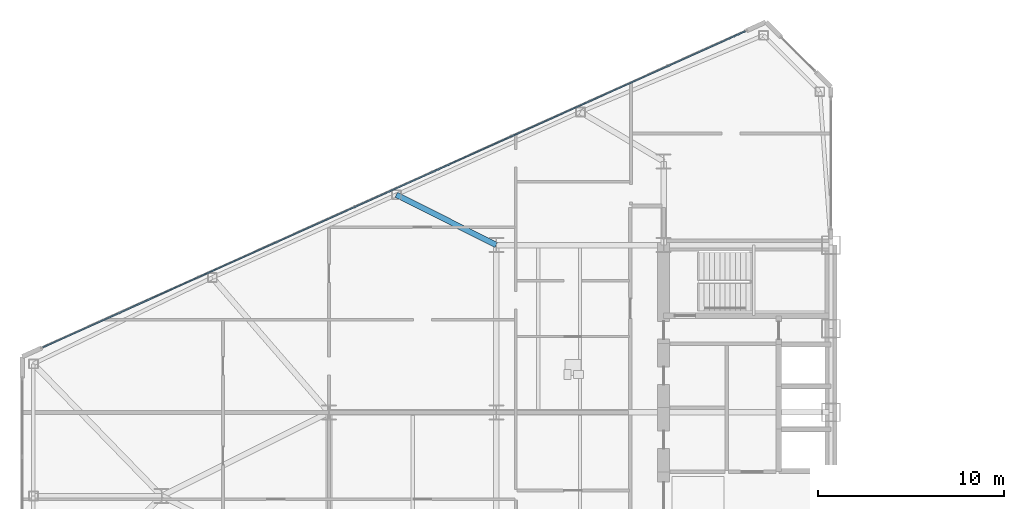
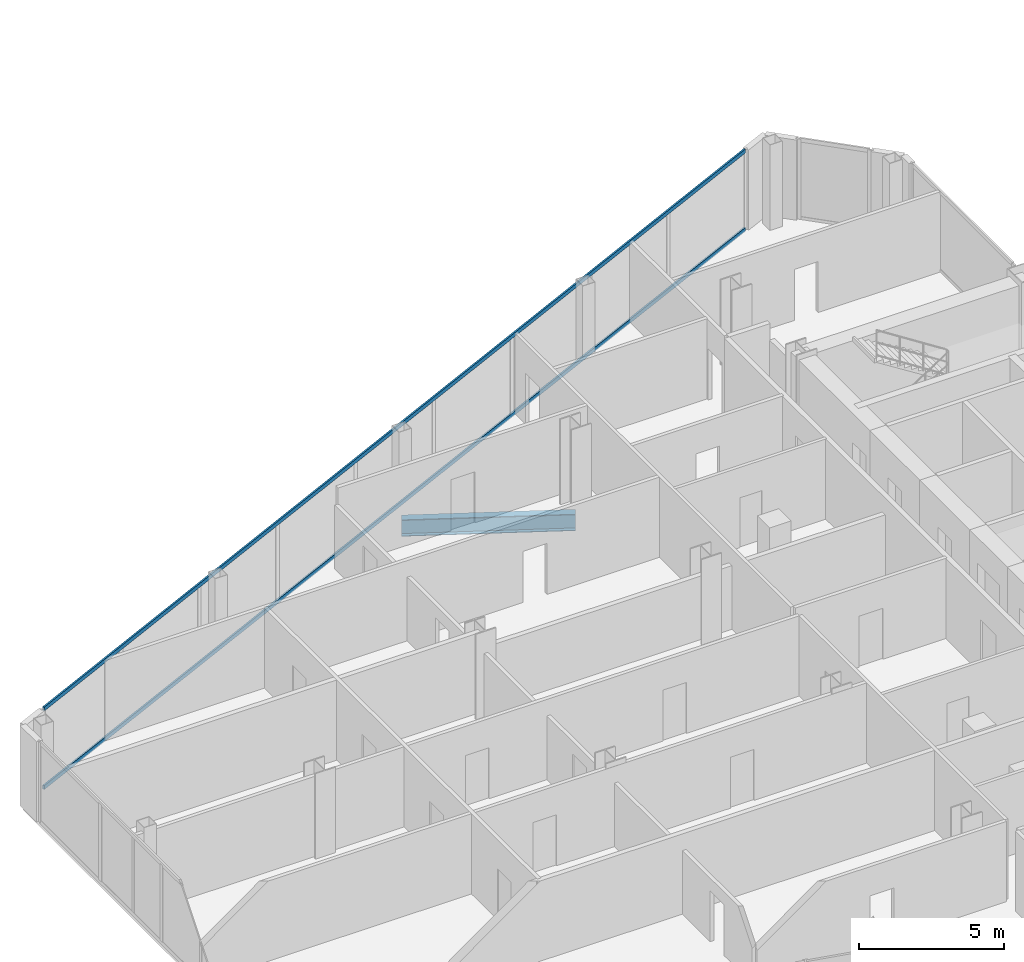
# One storey, part 8 of 27: 2 members, 1 beam, 1 element without a shape of its own.
"""IFC4 building model written with IfcOpenShell, lengths in metres."""

from ifc_helpers import new_model, si_unit, direction, frame, origin, origin_2d, place, context, subcontext, project, spatial, rectangle, i_section, extrude, source, transform, mapped, material, layer, layer_set, material_profile, profile_set, type_object, type_shapes, element, aggregate, save


model = new_model("IFC4")

# Units and contexts
model_context = context("Model", 3, precision=1e-05, world=origin(), true_north=direction((0.0, 1.0)))
body_context = subcontext(model_context, "Body", "Model", "MODEL_VIEW")
ifc_project = project(units=[si_unit("LENGTHUNIT", "METRE"), si_unit("AREAUNIT", "SQUARE_METRE"), si_unit("VOLUMEUNIT", "CUBIC_METRE"), si_unit("PLANEANGLEUNIT", "RADIAN"), si_unit("MASSUNIT", "GRAM", prefix="KILO")], contexts=[model_context])

# Site, building, storey
site_placement = place(None, origin())
site = spatial("IfcSite", under=ifc_project, at=site_placement, CompositionType="ELEMENT")
building_placement = place(site_placement, origin())
building = spatial("IfcBuilding", under=site, at=building_placement, Name="Seokmaru Belvedere", CompositionType="ELEMENT")
storey_placement = place(building_placement, frame((0.0, 0.0, 69.300048828125)))
storey = spatial("IfcBuildingStorey", under=building, at=storey_placement, Name="L18", CompositionType="ELEMENT", Elevation=69.300048828125)

# Beam
ifc_material_1 = material(Name="Steel SM355 (355 MPa)", Category="steel")
ifc_material_profile_1 = material_profile(ifc_material_1, i_section(OverallWidth=0.300048828125, OverallDepth=0.699951171875, WebThickness=0.012939453125, FlangeThickness=0.02392578125, at=origin_2d()), Name="H-700x300x13x24")
ifc_profile_set_1 = profile_set([ifc_material_profile_1], Name="Steel SM355 (355 MPa)")
beam_type = type_object("IfcBeamType", Name="Primary Floor Girder H-700", PredefinedType="BEAM", material=ifc_profile_set_1)
shared_shape_1 = source(origin(), body_context, "Body", "SweptSolid", [
    extrude(i_section(OverallWidth=0.300048828125, OverallDepth=0.699951171875, WebThickness=0.012939453125, FlangeThickness=0.02392578125, at=origin_2d()), origin(), (0.0, 0.0, 1.0), 6.017333984375),
])
type_shapes(beam_type, [shared_shape_1])
beam_placement = place(storey_placement, frame((-50.875, 16.205322265625, -0.570068359375), z_axis=(0.893239341975, -0.449581447512, 0.0), x_axis=(0.449581447512, 0.893239341975, 0.0)))
element("IfcBeam", 1, at=beam_placement, inside=storey, type_object=beam_type, Name="L18 W Flank Radial Floor Girder N-2", PredefinedType="BEAM", context=body_context, shape_type="MappedRepresentation", body=[
    mapped(shared_shape_1, transform((0.0, 0.0, 0.0), scale=1.0)),
])

# Curtain wall, members
ifc_material_2 = material(Name="Bronze Triple Insulating Glass", Category="glass")
ifc_layer = layer(ifc_material_2, 0.195068359375)
ifc_layer_set = layer_set([ifc_layer], Name="Bronze Triple Insulating Glass")
curtain_wall_type = type_object("IfcCurtainWallType", Name="Lower-Mid Tapered Curtain Wall System CW-3", PredefinedType="NOTDEFINED", material=ifc_layer_set)
curtain_wall_placement = place(storey_placement, origin())
curtain_wall = element("IfcCurtainWall", 2, at=curtain_wall_placement, inside=storey, type_object=curtain_wall_type, Name="L18 Curtain Wall WF3", PredefinedType="NOTDEFINED")
ifc_material_3 = material(Name="Anodised Bronze Aluminium", Category="aluminium")
ifc_material_profile_2 = material_profile(ifc_material_3, rectangle(XDim=0.070068359375, YDim=0.1650390625, at=origin_2d()), Name="CW-T-70x165")
ifc_profile_set_2 = profile_set([ifc_material_profile_2], Name="Anodised Bronze Aluminium")
member_type = type_object("IfcMemberType", Name="Bronze Unitised Transom 70x165", PredefinedType="USERDEFINED", material=ifc_profile_set_2)
shared_shape_2 = source(origin(), body_context, "Body", "SweptSolid", [
    extrude(rectangle(XDim=0.070068359375, YDim=0.1650390625, at=origin_2d()), origin(), (0.0, 0.0, 1.0), 41.423583984375),
])
type_shapes(member_type, [shared_shape_2])
member_1_placement = place(storey_placement, frame((-32.112548828125, 24.99951171875, 0.034912109375), z_axis=(-0.911918637916, -0.410371048956, 0.0), x_axis=(0.410371048956, -0.911918637916, 0.0)))
member_1 = element("IfcMember", 3, at=member_1_placement, type_object=member_type, Name="CW:L18:WF3 Continuous Transom 1", ObjectType="TRANSOM", PredefinedType="USERDEFINED", context=body_context, shape_type="MappedRepresentation", body=[
    mapped(shared_shape_2, transform((0.0, 0.0, 0.0), scale=1.0)),
])
member_2_placement = place(storey_placement, frame((-32.112548828125, 24.99951171875, 3.344970703125), z_axis=(-0.911918637916, -0.410371048956, 0.0), x_axis=(0.410371048956, -0.911918637916, 0.0)))
member_2 = element("IfcMember", 4, at=member_2_placement, type_object=member_type, Name="CW:L18:WF3 Continuous Transom 2", ObjectType="TRANSOM", PredefinedType="USERDEFINED", context=body_context, shape_type="MappedRepresentation", body=[
    mapped(shared_shape_2, transform((0.0, 0.0, 0.0), scale=1.0)),
])
aggregate(curtain_wall, [member_1, member_2])

save(model, "model.ifc")
